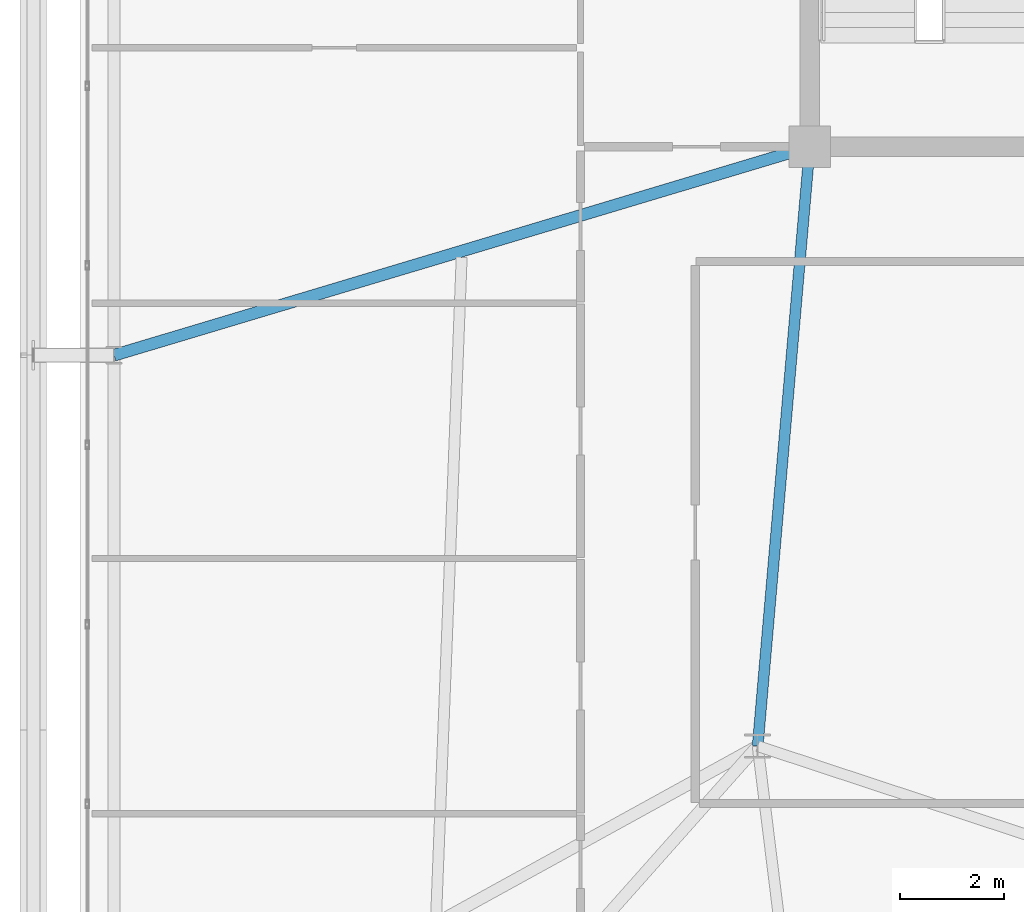
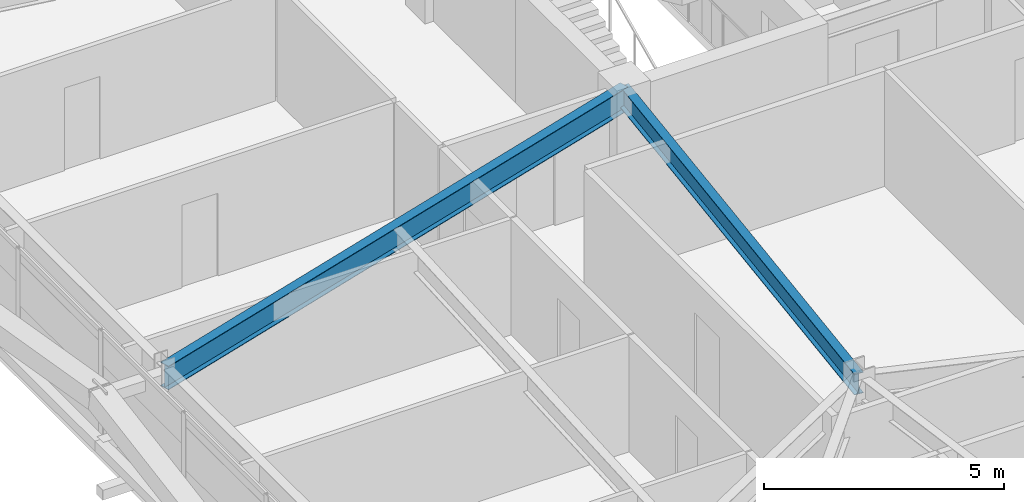
# One storey, part 15 of 58: 2 beams.
"""IFC4 building model written with IfcOpenShell, lengths in metres."""

import ifcopenshell
import ifcopenshell.guid

model = None  # the IFC model being written
_history = None  # IfcOwnerHistory: only IFC2X3 demands one
_inside = {}  # id of a spatial element -> (the spatial element, [elements in it])
_under = {}  # id of a project, library or spatial element -> (it, [spatial elements below it])
_declared = {}  # id of a project -> (the project, [libraries it declares])
_typed = {}  # id of a type object -> (the type object, [elements of that type])
_made_of = {}  # id of a material, layer set ... -> (it, [elements and type objects made of it])


def new_model(schema):
    """Start an empty IFC model of exactly this schema.

    Asked for "IFC4X3", IfcOpenShell would pick the latest addendum, in which some entities
    have other attributes; the version numbers below select the first issue.
    IFC2X3 requires an IfcOwnerHistory on every rooted entity: one is made here for all.
    """
    global model, _history
    if schema == "IFC4X3":
        model = ifcopenshell.file(schema_version=(4, 3, 0, 0))
    else:
        model = ifcopenshell.file(schema=schema)
    _inside.clear()
    _under.clear()
    _declared.clear()
    _typed.clear()
    _made_of.clear()
    _history = None
    if model.schema == "IFC2X3":
        org = make("IfcOrganization", Name="unknown")
        user = make(
            "IfcPersonAndOrganization",
            ThePerson=make("IfcPerson", FamilyName="unknown"),
            TheOrganization=org,
        )
        app = make(
            "IfcApplication",
            ApplicationDeveloper=org,
            Version="unknown",
            ApplicationFullName="unknown",
            ApplicationIdentifier="unknown",
        )
        _history = make(
            "IfcOwnerHistory",
            OwningUser=user,
            OwningApplication=app,
            ChangeAction="ADDED",
            CreationDate=0,
        )
    return model


def make(cls, **values):
    """One entity of the class cls with the attributes given. An attribute that is None is left unset."""
    return model.create_entity(
        cls, **{name: value for name, value in values.items() if value is not None}
    )


def rooted(cls, **values):
    """An entity with a GlobalId (a new one), such as an element, a storey or a relation."""
    return make(cls, GlobalId=ifcopenshell.guid.new(), OwnerHistory=_history, **values)


def si_unit(unit_type, name, prefix=None):
    """IfcSIUnit, for example si_unit("LENGTHUNIT", "METRE", prefix="MILLI")."""
    return make("IfcSIUnit", UnitType=unit_type, Prefix=prefix, Name=name)


def assignment(units):
    """IfcUnitAssignment: the units of a project."""
    return None if units is None else make("IfcUnitAssignment", Units=units)


def point(xyz):
    """IfcCartesianPoint."""
    return None if xyz is None else make("IfcCartesianPoint", Coordinates=xyz)


def direction(xyz):
    """IfcDirection."""
    return None if xyz is None else make("IfcDirection", DirectionRatios=xyz)


def frame(location, z_axis=None, x_axis=None):
    """IfcAxis2Placement3D, a coordinate frame: its origin and axes. An axis left out is left unset."""
    return make(
        "IfcAxis2Placement3D",
        Location=point(location),
        Axis=direction(z_axis),
        RefDirection=direction(x_axis),
    )


def frame_2d(location, x_axis=None):
    """IfcAxis2Placement2D, a coordinate frame in the plane: its origin and x axis."""
    return make(
        "IfcAxis2Placement2D", Location=point(location), RefDirection=direction(x_axis)
    )


def origin():
    """The frame at (0, 0, 0) with its axes left unset."""
    return frame((0.0, 0.0, 0.0))


def origin_2d():
    """The frame at (0, 0) in the plane with its x axis left unset."""
    return frame_2d((0.0, 0.0))


def place(relative_to, where):
    """IfcLocalPlacement: puts the frame where relative to a parent placement (None: the world)."""
    return make(
        "IfcLocalPlacement", PlacementRelTo=relative_to, RelativePlacement=where
    )


def context(
    kind, dimensions, precision=None, world=None, true_north=None, identifier=None
):
    """IfcGeometricRepresentationContext, for example the 3D "Model" context."""
    return make(
        "IfcGeometricRepresentationContext",
        ContextIdentifier=identifier,
        ContextType=kind,
        CoordinateSpaceDimension=dimensions,
        Precision=precision,
        WorldCoordinateSystem=world,
        TrueNorth=true_north,
    )


def subcontext(parent, identifier, kind, view, scale=None):
    """IfcGeometricRepresentationSubContext, for example "Body" below "Model"."""
    return make(
        "IfcGeometricRepresentationSubContext",
        ContextIdentifier=identifier,
        ContextType=kind,
        ParentContext=parent,
        TargetScale=scale,
        TargetView=view,
    )


def project(units=None, contexts=None):
    """IfcProject with its units and contexts."""
    return rooted(
        "IfcProject",
        Name="project",
        RepresentationContexts=contexts,
        UnitsInContext=assignment(units),
    )


def spatial(cls, under=None, at=None, **own):
    """A site, building, storey or space (cls), placed at a placement, below another one or the project."""
    s = rooted(cls, ObjectPlacement=at, **own)
    if under is not None:
        _under.setdefault(under.id(), (under, []))[1].append(s)
    return s


def profile(cls, at=None, kind="AREA", **sizes):
    """A parametric profile (cls). Its sizes go by their IFC names, for example OverallWidth=200.0."""
    return make(cls, ProfileType=kind, Position=at, **sizes)


def i_section(**sizes):
    """IfcIShapeProfileDef."""
    return profile("IfcIShapeProfileDef", **sizes)


def extrude(swept, where, along, depth):
    """IfcExtrudedAreaSolid: the profile swept, set in the frame where, extruded along a direction by depth."""
    return make(
        "IfcExtrudedAreaSolid",
        SweptArea=swept,
        Position=where,
        ExtrudedDirection=direction(along),
        Depth=depth,
    )


def shape(context_of_items, identifier, shape_type, items):
    """IfcShapeRepresentation: the items that make up one representation, for example the "Body"."""
    return make(
        "IfcShapeRepresentation",
        ContextOfItems=context_of_items,
        RepresentationIdentifier=identifier,
        RepresentationType=shape_type,
        Items=items,
    )


def source(mapping_origin, context_of_items, identifier, shape_type, items):
    """IfcRepresentationMap: a shape defined once, which mapped items show again and again."""
    return make(
        "IfcRepresentationMap",
        MappingOrigin=mapping_origin,
        MappedRepresentation=shape(context_of_items, identifier, shape_type, items),
    )


def transform(
    local_origin,
    x_axis=None,
    y_axis=None,
    z_axis=None,
    scale=None,
    scale2=None,
    scale3=None,
    uniform=True,
):
    """IfcCartesianTransformationOperator3D, or its non-uniform kind. x_axis, y_axis, z_axis: its Axis1, 2, 3."""
    if uniform:
        return make(
            "IfcCartesianTransformationOperator3D",
            Axis1=direction(x_axis),
            Axis2=direction(y_axis),
            LocalOrigin=point(local_origin),
            Scale=scale,
            Axis3=direction(z_axis),
        )
    return make(
        "IfcCartesianTransformationOperator3DnonUniform",
        Axis1=direction(x_axis),
        Axis2=direction(y_axis),
        LocalOrigin=point(local_origin),
        Scale=scale,
        Axis3=direction(z_axis),
        Scale2=scale2,
        Scale3=scale3,
    )


def mapped(mapping_source, mapping_target):
    """IfcMappedItem: shows the shape of a source again, moved by a transform."""
    return make(
        "IfcMappedItem", MappingSource=mapping_source, MappingTarget=mapping_target
    )


def material(Name=None, Category=None):
    """IfcMaterial."""
    return make("IfcMaterial", Name=Name, Category=Category)


def material_profile(
    of_material, cross_section, Name=None, Category=None, Priority=None
):
    """IfcMaterialProfile: a cross section and its material."""
    return make(
        "IfcMaterialProfile",
        Name=Name,
        Material=of_material,
        Profile=cross_section,
        Priority=Priority,
        Category=Category,
    )


def profile_set(profiles, Name=None, composite=None):
    """IfcMaterialProfileSet."""
    return make(
        "IfcMaterialProfileSet",
        Name=Name,
        MaterialProfiles=profiles,
        CompositeProfile=composite,
    )


def made_of(thing, what):
    """Note that an element or type object is made of a material, layer set ...; save() writes the relation."""
    if what is not None:
        _made_of.setdefault(what.id(), (what, []))[1].append(thing)
    return thing


def type_object(cls, material=None, **own):
    """A type object (cls), such as IfcWallType, which elements share."""
    return made_of(rooted(cls, **own), material)


def element(
    cls,
    number,
    at=None,
    inside=None,
    cuts=None,
    type_object=None,
    material=None,
    context=None,
    identifier="Body",
    shape_type=None,
    held_by="IfcProductDefinitionShape",
    body=None,
    shapes=None,
    **own,
):
    """One element of the class cls, such as IfcWall. Its Tag is "e" and its number.

    at: its placement. inside: the storey or other place that contains it. cuts: it is an
    opening in that element (IfcRelVoidsElement). A single representation is given by context,
    identifier, shape_type and body (its items); several are given by shapes. held_by: the class
    of the entity that holds the representations. save() writes the other relations.
    """
    e = rooted(cls, Tag="e%d" % number, ObjectPlacement=at, **own)
    if body is not None:
        shapes = [shape(context, identifier, shape_type, body)]
    if shapes is not None:
        e.Representation = make(held_by, Representations=shapes)
    if inside is not None:
        _inside.setdefault(inside.id(), (inside, []))[1].append(e)
    if cuts is not None:
        rooted(
            "IfcRelVoidsElement", RelatingBuildingElement=cuts, RelatedOpeningElement=e
        )
    if type_object is not None:
        _typed.setdefault(type_object.id(), (type_object, []))[1].append(e)
    return made_of(e, material)


def aggregate(whole, parts):
    """IfcRelAggregates: a whole, such as a stair, and the parts it consists of."""
    return rooted("IfcRelAggregates", RelatingObject=whole, RelatedObjects=parts)


def save(model, path):
    """Write the relations noted so far, then the file.

    IfcRelAggregates (storeys below a building ...), IfcRelContainedInSpatialStructure (elements
    in a storey), IfcRelDefinesByType, IfcRelAssociatesMaterial and IfcRelDeclares: one each for
    every whole, place, type object, material and project.
    """
    for whole, parts in _under.values():
        aggregate(whole, parts)
    for where, things in _inside.values():
        rooted(
            "IfcRelContainedInSpatialStructure",
            RelatedElements=things,
            RelatingStructure=where,
        )
    for kind, things in _typed.values():
        rooted("IfcRelDefinesByType", RelatedObjects=things, RelatingType=kind)
    for what, things in _made_of.values():
        rooted("IfcRelAssociatesMaterial", RelatedObjects=things, RelatingMaterial=what)
    for by, libraries in _declared.values():
        rooted("IfcRelDeclares", RelatingContext=by, RelatedDefinitions=libraries)
    model.write(path)


model = new_model("IFC4")

# Units and contexts
model_context = context("Model", 3, precision=1e-05, world=origin(), true_north=direction((0.0, 1.0)))
body_context = subcontext(model_context, "Body", "Model", "MODEL_VIEW")
ifc_project = project(units=[si_unit("LENGTHUNIT", "METRE"), si_unit("AREAUNIT", "SQUARE_METRE"), si_unit("VOLUMEUNIT", "CUBIC_METRE"), si_unit("PLANEANGLEUNIT", "RADIAN"), si_unit("MASSUNIT", "GRAM", prefix="KILO")], contexts=[model_context])

# Site, building, storey
site_placement = place(None, origin())
site = spatial("IfcSite", under=ifc_project, at=site_placement, CompositionType="ELEMENT")
building_placement = place(site_placement, origin())
building = spatial("IfcBuilding", under=site, at=building_placement, Name="Taldren Reach Tower", CompositionType="ELEMENT")
storey_placement = place(building_placement, frame((0.0, 0.0, 35.699951171875)))
storey = spatial("IfcBuildingStorey", under=building, at=storey_placement, Name="L10", CompositionType="ELEMENT", Elevation=35.699951171875)

# Beams
ifc_material = material(Name="Steel Gr 350 (350PLUS)", Category="steel")
ifc_material_profile_1 = material_profile(ifc_material, i_section(OverallWidth=0.208984375, OverallDepth=0.532958984375, WebThickness=0.01025390625, FlangeThickness=0.015625, at=origin_2d()), Name="530UB92.4")
ifc_profile_set_1 = profile_set([ifc_material_profile_1], Name="Steel Gr 350 (350PLUS)")
beam_type_1 = type_object("IfcBeamType", Name="BM-UB530A", PredefinedType="BEAM", material=ifc_profile_set_1)
shared_shape_1 = source(origin(), body_context, "Body", "SweptSolid", [
    extrude(i_section(OverallWidth=0.208984375, OverallDepth=0.532958984375, WebThickness=0.01025390625, FlangeThickness=0.015625, at=origin_2d()), origin(), (0.0, 0.0, 1.0), 11.54345703125),
])
beam_1_placement = place(storey_placement, frame((19.0, 24.0, 2.66357421875), z_axis=(-0.086629616365, -0.996240588196, 0.0), x_axis=(0.996240588196, -0.086629616365, 0.0)))
element("IfcBeam", 1, at=beam_1_placement, inside=storey, type_object=beam_type_1, Name="Core-spine girder L10-SP09", PredefinedType="BEAM", context=body_context, shape_type="MappedRepresentation", body=[
    mapped(shared_shape_1, transform((0.0, 0.0, 0.0), scale=1.0)),
])
ifc_material_profile_2 = material_profile(ifc_material, i_section(OverallWidth=0.22802734375, OverallDepth=0.60205078125, WebThickness=0.010498046875, FlangeThickness=0.014892578125, at=origin_2d()), Name="610UB101")
ifc_profile_set_2 = profile_set([ifc_material_profile_2], Name="Steel Gr 350 (350PLUS)")
beam_type_2 = type_object("IfcBeamType", Name="BM-UB610B", PredefinedType="BEAM", material=ifc_profile_set_2)
shared_shape_2 = source(origin(), body_context, "Body", "SweptSolid", [
    extrude(i_section(OverallWidth=0.22802734375, OverallDepth=0.60205078125, WebThickness=0.010498046875, FlangeThickness=0.014892578125, at=origin_2d()), origin(), (0.0, 0.0, 1.0), 13.9365234375),
])
beam_2_placement = place(storey_placement, frame((19.0, 24.0, 2.629150390625), z_axis=(-0.957925550891, -0.287016792104, 0.0), x_axis=(0.287016792104, -0.957925550891, 0.0)))
element("IfcBeam", 2, at=beam_2_placement, inside=storey, type_object=beam_type_2, Name="Primary floor girder B1-W2 L10", PredefinedType="BEAM", context=body_context, shape_type="MappedRepresentation", body=[
    mapped(shared_shape_2, transform((0.0, 0.0, 0.0), scale=1.0)),
])

save(model, "model.ifc")
